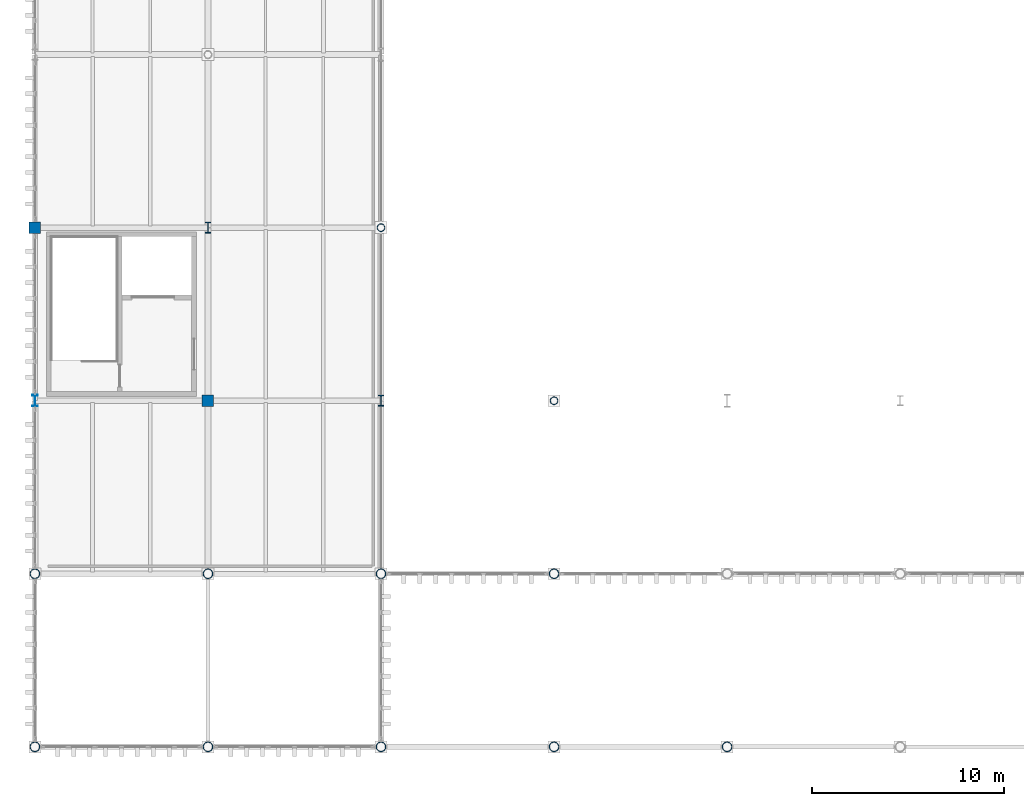
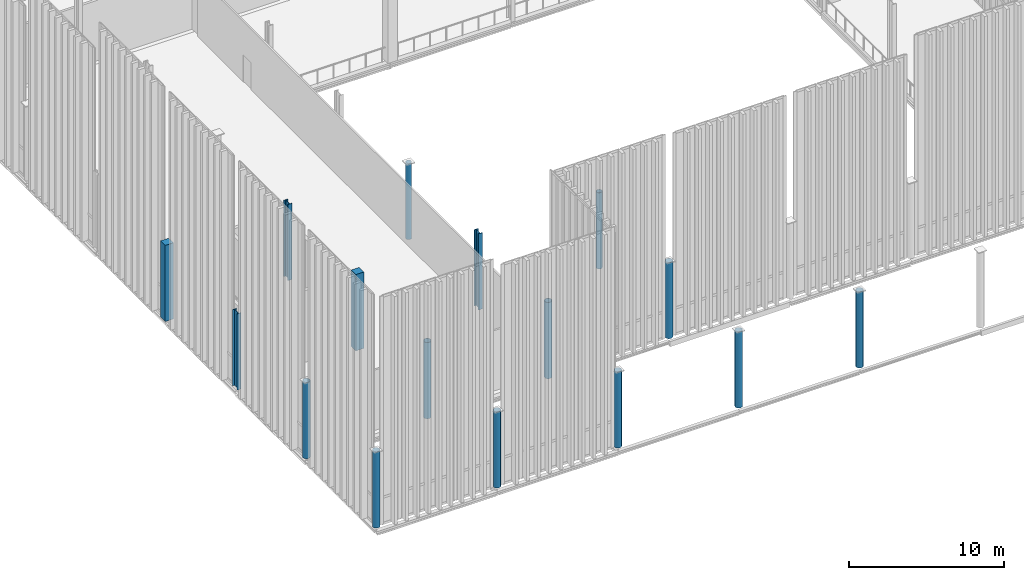
# One storey, part 1 of 237: 16 columns.
"""IFC4 building model written with IfcOpenShell, lengths in metres."""

from ifc_helpers import new_model, si_unit, direction, frame, origin, origin_2d, place, context, subcontext, project, spatial, rectangle, hollow_circle, i_section, extrude, material, material_profile, profile_set, type_object, element, save


model = new_model("IFC4")

# Units and contexts
model_context = context("Model", 3, precision=1e-05, world=origin(), true_north=direction((0.0, 1.0)))
body_context = subcontext(model_context, "Body", "Model", "MODEL_VIEW")
ifc_project = project(units=[si_unit("LENGTHUNIT", "METRE"), si_unit("AREAUNIT", "SQUARE_METRE"), si_unit("VOLUMEUNIT", "CUBIC_METRE"), si_unit("PLANEANGLEUNIT", "RADIAN"), si_unit("MASSUNIT", "GRAM", prefix="KILO")], contexts=[model_context])

# Site, building, storey
site_placement = place(None, origin())
site = spatial("IfcSite", under=ifc_project, at=site_placement, CompositionType="ELEMENT")
building_placement = place(site_placement, origin())
building = spatial("IfcBuilding", under=site, at=building_placement, Name="Barlavento Convention Centre", CompositionType="ELEMENT")
storey_placement = place(building_placement, frame((0.0, 0.0, 12.0)))
storey = spatial("IfcBuildingStorey", under=building, at=storey_placement, Name="L02", CompositionType="ELEMENT", Elevation=12.0)

# Columns
ifc_material_1 = material(Name="Steel S355", Category="steel")
ifc_material_profile_1 = material_profile(ifc_material_1, hollow_circle(Radius=0.203125, WallThickness=0.01611328125, at=origin_2d()), Name="CHS 406.4x16.0")
ifc_profile_set_1 = profile_set([ifc_material_profile_1], Name="Steel S355")
column_type_1 = type_object("IfcColumnType", Name="STR-COL-CHS406", PredefinedType="COLUMN", material=ifc_profile_set_1)
for number, where, z_axis, x_axis, name in (
    (1, (18.0, 27.0, 0.0), (0.0, 0.0, 1.0), (1.0, 0.0, 0.0), "L02 column SC14"),
    (2, (27.0, 18.0, 0.0), (0.0, 0.0, 1.0), (1.0, 0.0, 0.0), "L02 column SC14"),
):
    element("IfcColumn", number, at=place(storey_placement, frame(where, z_axis=z_axis, x_axis=x_axis)), inside=storey, type_object=column_type_1, Name=name, PredefinedType="COLUMN", context=body_context, shape_type="SweptSolid", body=[
        extrude(hollow_circle(Radius=0.203125, WallThickness=0.01611328125, at=origin_2d()), origin(), (0.0, 0.0, 1.0), 6.0),
    ])
ifc_material_2 = material(Name="Steel S460", Category="steel")
ifc_material_profile_2 = material_profile(ifc_material_2, hollow_circle(Radius=0.25390625, WallThickness=0.02001953125, at=origin_2d()), Name="CHS 508.0x20.0")
ifc_profile_set_2 = profile_set([ifc_material_profile_2], Name="Steel S460")
column_type_2 = type_object("IfcColumnType", Name="STR-COL-CHS508", PredefinedType="COLUMN", material=ifc_profile_set_2)
for number, where, z_axis, x_axis, name in (
    (3, (0.0, 0.0, 0.0), (0.0, 0.0, 1.0), (1.0, 0.0, 0.0), "L02 column SC13"),
    (4, (0.0, 9.0, 0.0), (0.0, 0.0, 1.0), (1.0, 0.0, 0.0), "L02 column SC13"),
    (5, (9.0, 0.0, 0.0), (0.0, 0.0, 1.0), (1.0, 0.0, 0.0), "L02 column SC13"),
    (6, (9.0, 9.0, 0.0), (0.0, 0.0, 1.0), (1.0, 0.0, 0.0), "L02 column SC13"),
    (7, (18.0, 0.0, 0.0), (0.0, 0.0, 1.0), (1.0, 0.0, 0.0), "L02 column SC13"),
    (8, (18.0, 9.0, 0.0), (0.0, 0.0, 1.0), (1.0, 0.0, 0.0), "L02 column SC13"),
    (9, (27.0, 0.0, 0.0), (0.0, 0.0, 1.0), (1.0, 0.0, 0.0), "L02 column SC13"),
    (10, (27.0, 9.0, 0.0), (0.0, 0.0, 1.0), (1.0, 0.0, 0.0), "L02 column SC13"),
    (11, (36.0, 0.0, 0.0), (0.0, 0.0, 1.0), (1.0, 0.0, 0.0), "L02 column SC13"),
):
    element("IfcColumn", number, at=place(storey_placement, frame(where, z_axis=z_axis, x_axis=x_axis)), inside=storey, type_object=column_type_2, Name=name, PredefinedType="COLUMN", context=body_context, shape_type="SweptSolid", body=[
        extrude(hollow_circle(Radius=0.25390625, WallThickness=0.02001953125, at=origin_2d()), origin(), (0.0, 0.0, 1.0), 6.0),
    ])
ifc_material_profile_3 = material_profile(ifc_material_1, i_section(OverallWidth=0.300048828125, OverallDepth=0.60009765625, WebThickness=0.015380859375, FlangeThickness=0.030029296875, FilletRadius=0.027099609375, at=origin_2d()), Name="HEB 600")
ifc_profile_set_3 = profile_set([ifc_material_profile_3], Name="Steel S355")
column_type_3 = type_object("IfcColumnType", Name="STR-COL-HEB600", PredefinedType="COLUMN", material=ifc_profile_set_3)
column_placement = place(storey_placement, frame((0.0, 18.0, 0.0), z_axis=(0.0, 0.0, 1.0), x_axis=(1.0, 0.0, 0.0)))
element("IfcColumn", 12, at=column_placement, inside=storey, type_object=column_type_3, Name="L02 column SC08", PredefinedType="COLUMN", context=body_context, shape_type="SweptSolid", body=[
    extrude(i_section(OverallWidth=0.300048828125, OverallDepth=0.60009765625, WebThickness=0.015380859375, FlangeThickness=0.030029296875, FilletRadius=0.027099609375, at=origin_2d()), origin(), (0.0, 0.0, 1.0), 6.0),
])
ifc_material_profile_4 = material_profile(ifc_material_1, i_section(OverallWidth=0.305908203125, OverallDepth=0.572021484375, WebThickness=0.02099609375, FlangeThickness=0.0400390625, FilletRadius=0.027099609375, at=origin_2d()), Name="HEM 550")
ifc_profile_set_4 = profile_set([ifc_material_profile_4], Name="Steel S355")
column_type_4 = type_object("IfcColumnType", Name="STR-COL-HEM550", PredefinedType="COLUMN", material=ifc_profile_set_4)
for number, where, z_axis, x_axis, name in (
    (13, (9.0, 27.0, 0.0), (0.0, 0.0, 1.0), (1.0, 0.0, 0.0), "L02 column SC06"),
    (14, (18.0, 18.0, 0.0), (0.0, 0.0, 1.0), (1.0, 0.0, 0.0), "L02 column SC06"),
):
    element("IfcColumn", number, at=place(storey_placement, frame(where, z_axis=z_axis, x_axis=x_axis)), inside=storey, type_object=column_type_4, Name=name, PredefinedType="COLUMN", context=body_context, shape_type="SweptSolid", body=[
        extrude(i_section(OverallWidth=0.305908203125, OverallDepth=0.572021484375, WebThickness=0.02099609375, FlangeThickness=0.0400390625, FilletRadius=0.027099609375, at=origin_2d()), origin(), (0.0, 0.0, 1.0), 6.0),
    ])
ifc_material_3 = material(Name="Concrete C40/50", Category="concrete")
ifc_material_profile_5 = material_profile(ifc_material_3, rectangle(XDim=0.60009765625, YDim=0.60009765625, at=origin_2d()), Name="RC 600x600")
ifc_profile_set_5 = profile_set([ifc_material_profile_5], Name="Concrete C40/50")
column_type_5 = type_object("IfcColumnType", Name="STR-COL-RC600", PredefinedType="COLUMN", material=ifc_profile_set_5)
for number, where, z_axis, x_axis, name in (
    (15, (0.0, 27.0, 0.0), (0.0, 0.0, 1.0), (1.0, 0.0, 0.0), "L02 column CC07"),
    (16, (9.0, 18.0, 0.0), (0.0, 0.0, 1.0), (1.0, 0.0, 0.0), "L02 column CC07"),
):
    element("IfcColumn", number, at=place(storey_placement, frame(where, z_axis=z_axis, x_axis=x_axis)), inside=storey, type_object=column_type_5, Name=name, PredefinedType="COLUMN", context=body_context, shape_type="SweptSolid", body=[
        extrude(rectangle(XDim=0.60009765625, YDim=0.60009765625, at=origin_2d()), origin(), (0.0, 0.0, 1.0), 6.0),
    ])

save(model, "model.ifc")
